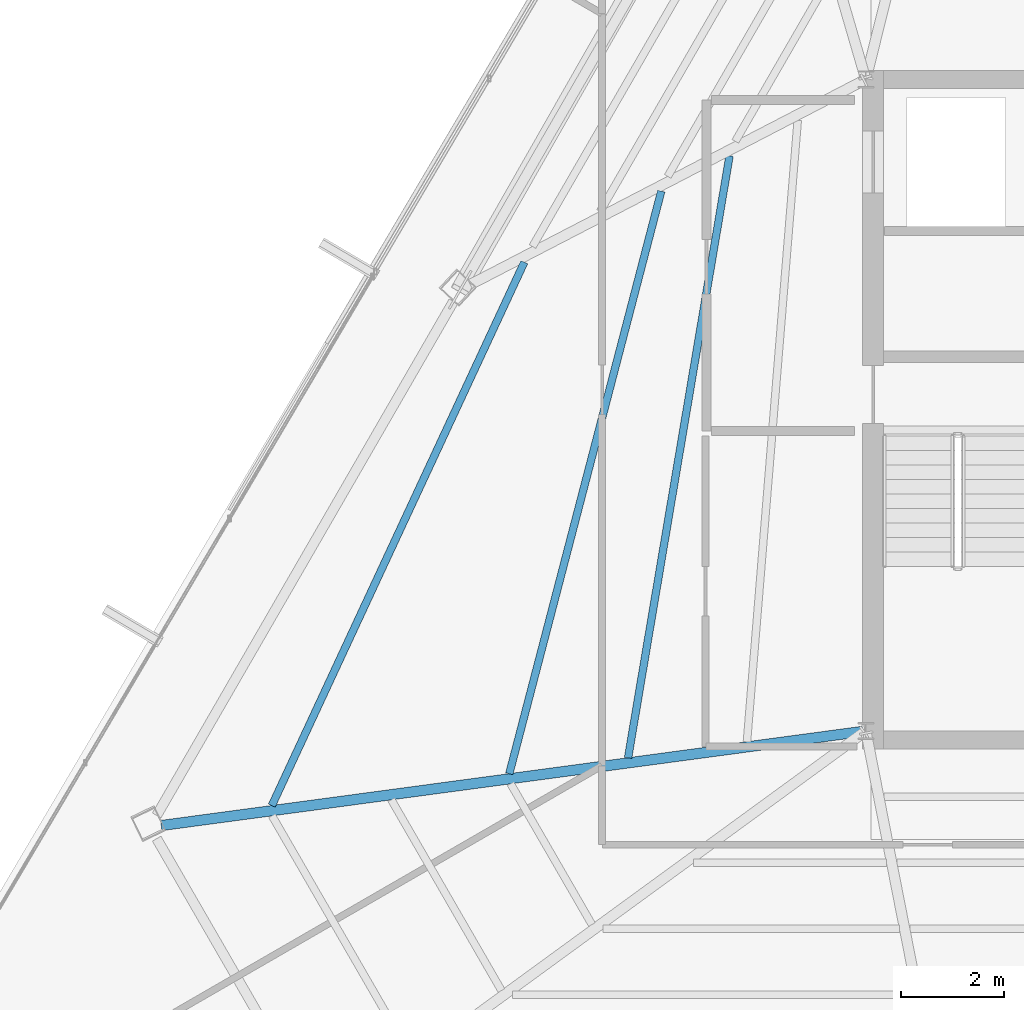
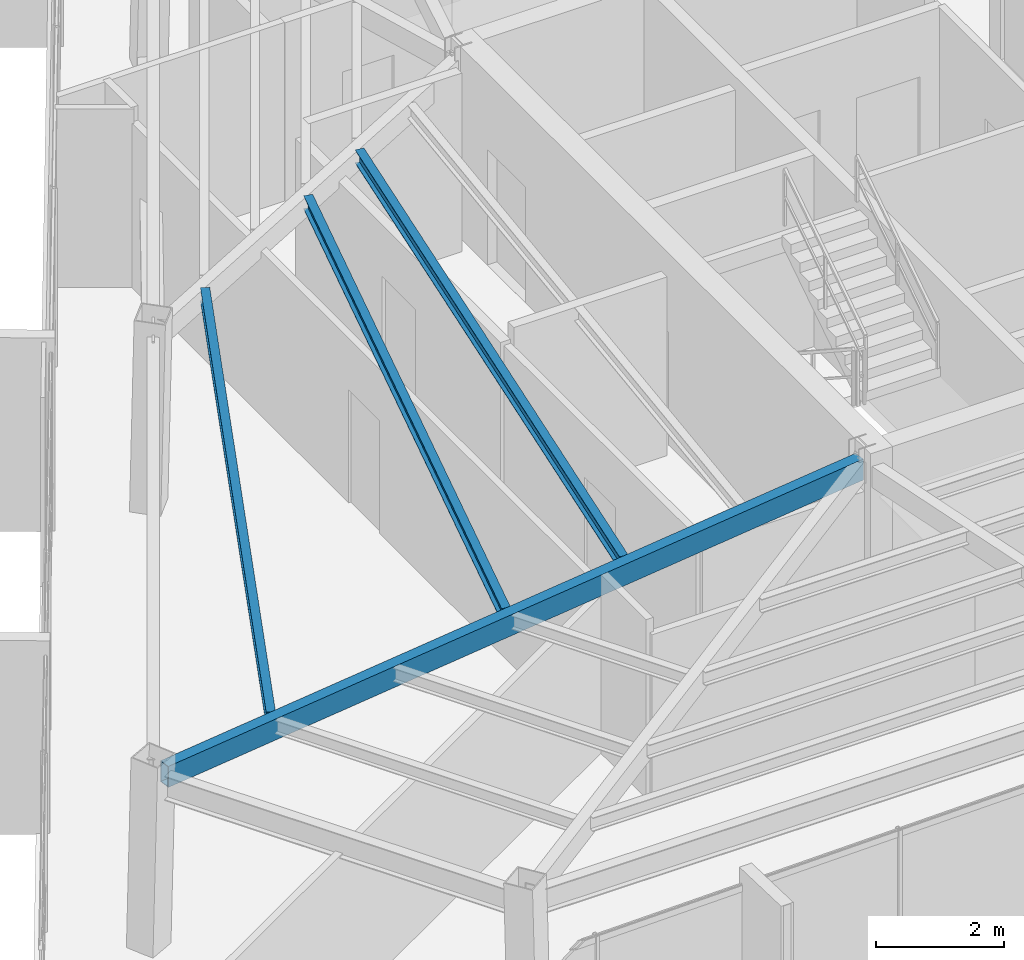
# One storey, part 10 of 45: 4 beams.
"""IFC4 building model written with IfcOpenShell, lengths in metres."""

from ifc_helpers import new_model, si_unit, direction, frame, origin, origin_2d, place, context, subcontext, project, spatial, hollow_rectangle, i_section, extrude, source, transform, mapped, material, material_profile, profile_set, type_object, type_shapes, element, save


model = new_model("IFC4")

# Units and contexts
model_context = context("Model", 3, precision=1e-05, world=origin(), true_north=direction((0.0, 1.0)))
body_context = subcontext(model_context, "Body", "Model", "MODEL_VIEW")
ifc_project = project(units=[si_unit("LENGTHUNIT", "METRE"), si_unit("AREAUNIT", "SQUARE_METRE"), si_unit("VOLUMEUNIT", "CUBIC_METRE"), si_unit("PLANEANGLEUNIT", "RADIAN"), si_unit("MASSUNIT", "GRAM", prefix="KILO")], contexts=[model_context])

# Site, building, storey
site_placement = place(None, origin())
site = spatial("IfcSite", under=ifc_project, at=site_placement, CompositionType="ELEMENT")
building_placement = place(site_placement, origin())
building = spatial("IfcBuilding", under=site, at=building_placement, Name="Caelisora Broadcast Tower", CompositionType="ELEMENT")
storey_placement = place(building_placement, frame((0.0, 0.0, 273.64990234375)))
storey = spatial("IfcBuildingStorey", under=building, at=storey_placement, Name="L72", CompositionType="ELEMENT", Elevation=273.64990234375)

# Beams
ifc_material_1 = material(Name="Steel Grade 350 (AS/NZS 1163 C350L0)", Category="steel")
ifc_material_profile_1 = material_profile(ifc_material_1, hollow_rectangle(XDim=0.199951171875, YDim=0.39990234375, WallThickness=0.012451171875, at=origin_2d()), Name="Steel Grade 350 (AS/NZS 1163 C350L0)")
ifc_profile_set_1 = profile_set([ifc_material_profile_1], Name="Steel Grade 350 (AS/NZS 1163 C350L0)")
beam_type_1 = type_object("IfcBeamType", Name="PG07", PredefinedType="BEAM", material=ifc_profile_set_1)
shared_shape_1 = source(origin(), body_context, "Body", "SweptSolid", [
    extrude(hollow_rectangle(XDim=0.199951171875, YDim=0.39990234375, WallThickness=0.012451171875, at=origin_2d()), origin(), (0.0, 0.0, 1.0), 13.68603515625),
])
type_shapes(beam_type_1, [shared_shape_1])
beam_1_placement = place(storey_placement, frame((30.4404296875, 17.39208984375, 3.2001953125), z_axis=(-0.991117721891, -0.132987448105, 0.0), x_axis=(0.132987448105, -0.991117721891, 0.0)))
element("IfcBeam", 1, at=beam_1_placement, inside=storey, type_object=beam_type_1, Name="L72 beam PG07", PredefinedType="BEAM", context=body_context, shape_type="MappedRepresentation", body=[
    mapped(shared_shape_1, transform((0.0, 0.0, 0.0), scale=1.0)),
])
ifc_material_2 = material(Name="Steel Grade 350 (AS/NZS 3679.1)", Category="steel")
ifc_material_profile_2 = material_profile(ifc_material_2, i_section(OverallWidth=0.14599609375, OverallDepth=0.256103515625, WebThickness=0.00634765625, FlangeThickness=0.010986328125, at=origin_2d()), Name="Steel Grade 350 (AS/NZS 3679.1)")
ifc_profile_set_2 = profile_set([ifc_material_profile_2], Name="Steel Grade 350 (AS/NZS 3679.1)")
beam_type_2 = type_object("IfcBeamType", Name="SB04", PredefinedType="JOIST", material=ifc_profile_set_2)
shared_shape_2 = source(origin(), body_context, "Body", "SweptSolid", [
    extrude(i_section(OverallWidth=0.14599609375, OverallDepth=0.256103515625, WebThickness=0.00634765625, FlangeThickness=0.010986328125, at=origin_2d()), origin(), (0.0, 0.0, 1.0), 11.806884765625),
])
beam_2_placement = place(storey_placement, frame((27.865234375, 28.523681640625, 3.27197265625), z_axis=(-0.166209428822, -0.986090475449, 0.0), x_axis=(0.986090475449, -0.166209428822, 0.0)))
element("IfcBeam", 2, at=beam_2_placement, inside=storey, type_object=beam_type_2, Name="L72 beam SB04", PredefinedType="JOIST", context=body_context, shape_type="MappedRepresentation", body=[
    mapped(shared_shape_2, transform((0.0, 0.0, 0.0), scale=1.0)),
])
shared_shape_3 = source(origin(), body_context, "Body", "SweptSolid", [
    extrude(i_section(OverallWidth=0.14599609375, OverallDepth=0.256103515625, WebThickness=0.00634765625, FlangeThickness=0.010986328125, at=origin_2d()), origin(), (0.0, 0.0, 1.0), 11.64306640625),
])
beam_3_placement = place(storey_placement, frame((26.544921875, 27.8388671875, 3.27197265625), z_axis=(-0.252464576798, -0.96760613757, 0.0), x_axis=(0.96760613757, -0.252464576798, 0.0)))
element("IfcBeam", 3, at=beam_3_placement, inside=storey, type_object=beam_type_2, Name="L72 beam SB04", PredefinedType="JOIST", context=body_context, shape_type="MappedRepresentation", body=[
    mapped(shared_shape_3, transform((0.0, 0.0, 0.0), scale=1.0)),
])
shared_shape_4 = source(origin(), body_context, "Body", "SweptSolid", [
    extrude(i_section(OverallWidth=0.14599609375, OverallDepth=0.256103515625, WebThickness=0.00634765625, FlangeThickness=0.010986328125, at=origin_2d()), origin(), (0.0, 0.0, 1.0), 11.586181640625),
])
type_shapes(beam_type_2, [shared_shape_2, shared_shape_3, shared_shape_4])
beam_4_placement = place(storey_placement, frame((23.89599609375, 26.46435546875, 3.27197265625), z_axis=(-0.421389882787, -0.906879576727, 0.0), x_axis=(0.906879576727, -0.421389882787, 0.0)))
element("IfcBeam", 4, at=beam_4_placement, inside=storey, type_object=beam_type_2, Name="L72 beam SB04", PredefinedType="JOIST", context=body_context, shape_type="MappedRepresentation", body=[
    mapped(shared_shape_4, transform((0.0, 0.0, 0.0), scale=1.0)),
])

save(model, "model.ifc")
